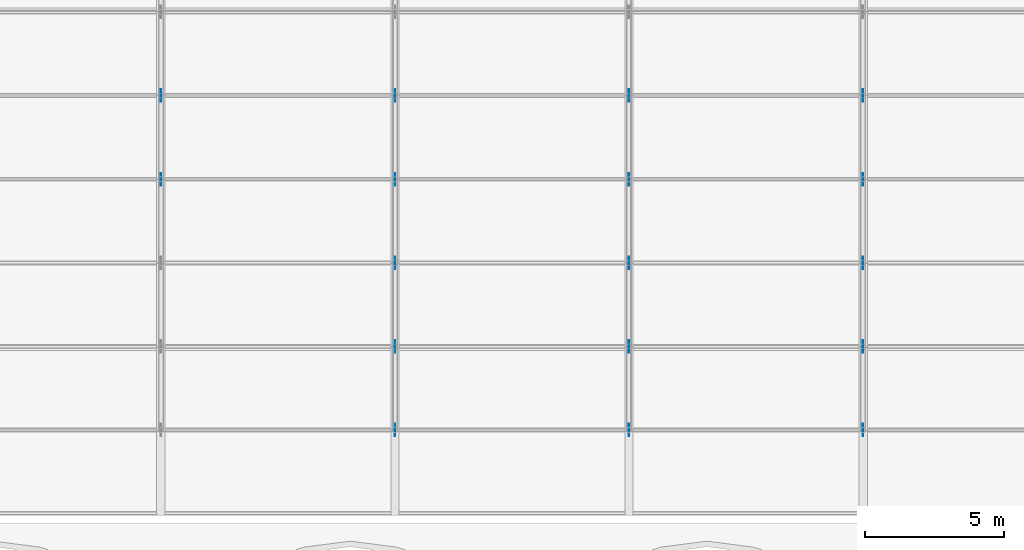
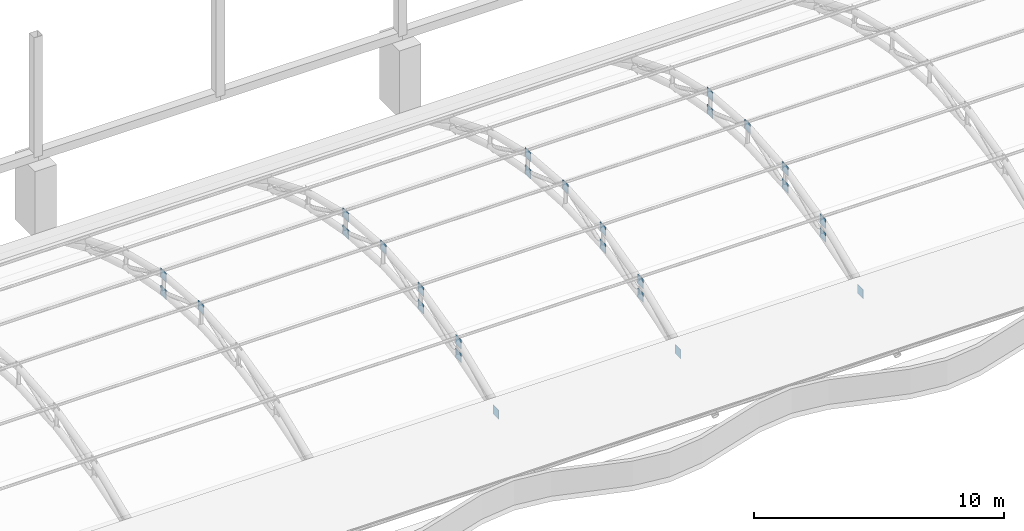
# One storey, part 137 of 163: 27 discrete accessories.
"""IFC4 building model written with IfcOpenShell, lengths in metres."""

from ifc_helpers import new_model, si_unit, direction, frame, origin, origin_2d, place, context, subcontext, project, spatial, rectangle, extrude, material, layer, layer_set, type_object, element, save


model = new_model("IFC4")

# Units and contexts
model_context = context("Model", 3, precision=1e-05, world=origin(), true_north=direction((0.0, 1.0)))
body_context = subcontext(model_context, "Body", "Model", "MODEL_VIEW")
ifc_project = project(units=[si_unit("LENGTHUNIT", "METRE"), si_unit("AREAUNIT", "SQUARE_METRE"), si_unit("VOLUMEUNIT", "CUBIC_METRE"), si_unit("PLANEANGLEUNIT", "RADIAN"), si_unit("MASSUNIT", "GRAM", prefix="KILO")], contexts=[model_context])

# Site, building, storey
site_placement = place(None, origin())
site = spatial("IfcSite", under=ifc_project, at=site_placement, CompositionType="ELEMENT")
building_placement = place(site_placement, origin())
building = spatial("IfcBuilding", under=site, at=building_placement, Name="Rain Tree Exposition and Congress Centre", CompositionType="ELEMENT")
storey_placement = place(building_placement, frame((0.0, 0.0, 10.5)))
storey = spatial("IfcBuildingStorey", under=building, at=storey_placement, Name="L02", CompositionType="ELEMENT", Elevation=10.5)

# Discrete accessories
ifc_material = material(Name="Steel plate S355J2", Category="steel")
ifc_layer = layer(ifc_material, 0.02001953125)
ifc_layer_set = layer_set([ifc_layer], Name="Steel plate S355J2")
discrete_accessory_type = type_object("IfcDiscreteAccessoryType", Name="Brace node plate 450x450x20", PredefinedType="BRACKET", material=ifc_layer_set)
for number, where, z_axis, x_axis, name in (
    (1, (159.60009765625, 87.60009765625, 3.80517578125), (0.0, 0.0, 1.0), (0.0, 1.0, 0.0), "Brace node plate 450"),
    (2, (159.60009765625, 90.60009765625, 2.71728515625), (0.0, 0.0, 1.0), (0.0, -1.0, 0.0), "Brace node plate 450"),
    (3, (159.60009765625, 90.60009765625, 3.5615234375), (0.0, 0.0, 1.0), (0.0, 1.0, 0.0), "Brace node plate 450"),
    (4, (168.0, 78.60009765625, 1.21728515625), (0.0, 0.0, 1.0), (0.0, 1.0, 0.0), "Brace node plate 450"),
    (5, (168.0, 81.60009765625, 2.830078125), (0.0, 0.0, 1.0), (0.0, -1.0, 0.0), "Brace node plate 450"),
    (6, (168.0, 81.60009765625, 2.15478515625), (0.0, 0.0, 1.0), (0.0, 1.0, 0.0), "Brace node plate 450"),
    (7, (168.0, 84.60009765625, 3.5615234375), (0.0, 0.0, 1.0), (0.0, -1.0, 0.0), "Brace node plate 450"),
    (8, (168.0, 84.60009765625, 2.71728515625), (0.0, 0.0, 1.0), (0.0, 1.0, 0.0), "Brace node plate 450"),
    (9, (168.0, 87.60009765625, 3.80517578125), (0.0, 0.0, 1.0), (0.0, 1.0, 0.0), "Brace node plate 450"),
    (10, (168.0, 90.60009765625, 2.71728515625), (0.0, 0.0, 1.0), (0.0, -1.0, 0.0), "Brace node plate 450"),
    (11, (168.0, 90.60009765625, 3.5615234375), (0.0, 0.0, 1.0), (0.0, 1.0, 0.0), "Brace node plate 450"),
    (12, (176.39990234375, 78.60009765625, 1.21728515625), (0.0, 0.0, 1.0), (0.0, 1.0, 0.0), "Brace node plate 450"),
    (13, (176.39990234375, 81.60009765625, 2.830078125), (0.0, 0.0, 1.0), (0.0, -1.0, 0.0), "Brace node plate 450"),
    (14, (176.39990234375, 81.60009765625, 2.15478515625), (0.0, 0.0, 1.0), (0.0, 1.0, 0.0), "Brace node plate 450"),
    (15, (176.39990234375, 84.60009765625, 3.5615234375), (0.0, 0.0, 1.0), (0.0, -1.0, 0.0), "Brace node plate 450"),
    (16, (176.39990234375, 84.60009765625, 2.71728515625), (0.0, 0.0, 1.0), (0.0, 1.0, 0.0), "Brace node plate 450"),
    (17, (176.39990234375, 87.60009765625, 3.80517578125), (0.0, 0.0, 1.0), (0.0, 1.0, 0.0), "Brace node plate 450"),
    (18, (176.39990234375, 90.60009765625, 2.71728515625), (0.0, 0.0, 1.0), (0.0, -1.0, 0.0), "Brace node plate 450"),
    (19, (176.39990234375, 90.60009765625, 3.5615234375), (0.0, 0.0, 1.0), (0.0, 1.0, 0.0), "Brace node plate 450"),
    (20, (184.800048828125, 78.60009765625, 1.21728515625), (0.0, 0.0, 1.0), (0.0, 1.0, 0.0), "Brace node plate 450"),
    (21, (184.800048828125, 81.60009765625, 2.830078125), (0.0, 0.0, 1.0), (0.0, -1.0, 0.0), "Brace node plate 450"),
    (22, (184.800048828125, 81.60009765625, 2.15478515625), (0.0, 0.0, 1.0), (0.0, 1.0, 0.0), "Brace node plate 450"),
    (23, (184.800048828125, 84.60009765625, 3.5615234375), (0.0, 0.0, 1.0), (0.0, -1.0, 0.0), "Brace node plate 450"),
    (24, (184.800048828125, 84.60009765625, 2.71728515625), (0.0, 0.0, 1.0), (0.0, 1.0, 0.0), "Brace node plate 450"),
    (25, (184.800048828125, 87.60009765625, 3.80517578125), (0.0, 0.0, 1.0), (0.0, 1.0, 0.0), "Brace node plate 450"),
    (26, (184.800048828125, 90.60009765625, 2.71728515625), (0.0, 0.0, 1.0), (0.0, -1.0, 0.0), "Brace node plate 450"),
    (27, (184.800048828125, 90.60009765625, 3.5615234375), (0.0, 0.0, 1.0), (0.0, 1.0, 0.0), "Brace node plate 450"),
):
    element("IfcDiscreteAccessory", number, at=place(storey_placement, frame(where, z_axis=z_axis, x_axis=x_axis)), inside=storey, type_object=discrete_accessory_type, Name=name, PredefinedType="BRACKET", context=body_context, shape_type="SweptSolid", body=[
        extrude(rectangle(XDim=0.449951171875, YDim=0.02001953125, at=origin_2d()), origin(), (0.0, 0.0, 1.0), 0.449951171875),
    ])

save(model, "model.ifc")
